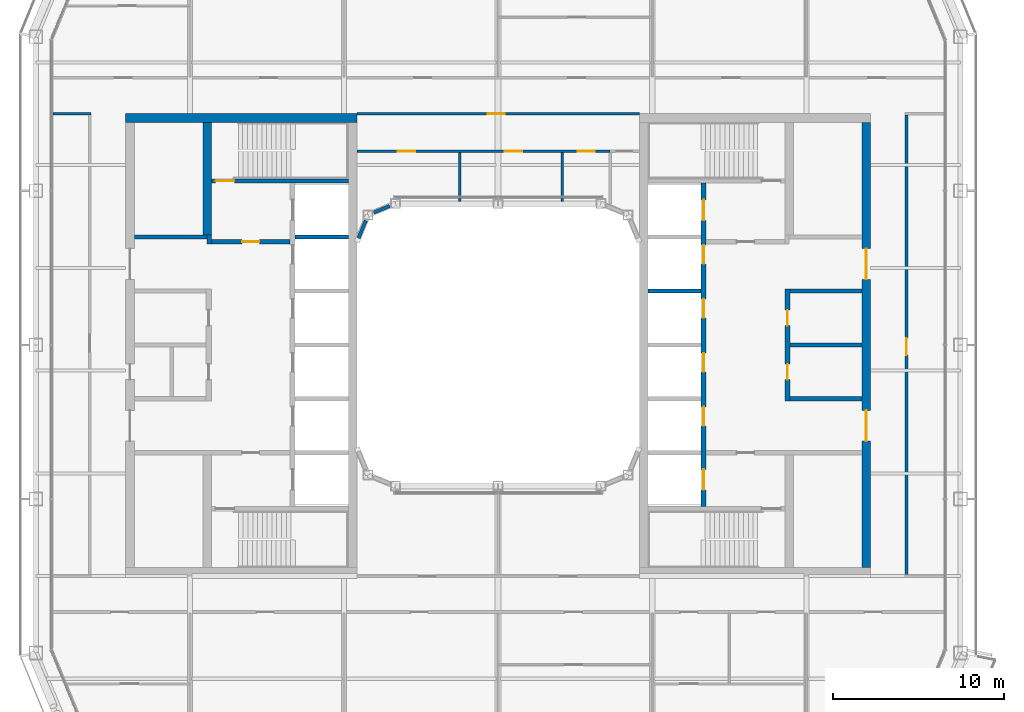
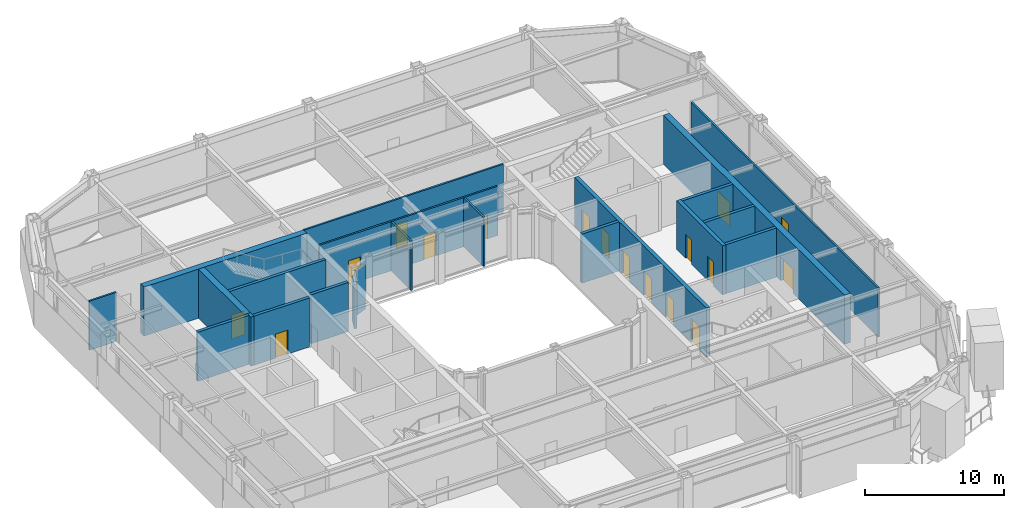
# One storey, part 14 of 23: 22 walls, 17 doors, 17 openings.
"""IFC4 building model written with IfcOpenShell, lengths in metres."""

from ifc_helpers import new_model, si_unit, direction, frame, frame_2d, origin, place, context, subcontext, project, spatial, rectangle, extrude, material, layer, layer_set, type_object, element, fill, save


model = new_model("IFC4")

# Units and contexts
model_context = context("Model", 3, precision=1e-05, world=origin(), true_north=direction((0.0, 1.0)))
body_context = subcontext(model_context, "Body", "Model", "MODEL_VIEW")
ifc_project = project(units=[si_unit("LENGTHUNIT", "METRE"), si_unit("AREAUNIT", "SQUARE_METRE"), si_unit("VOLUMEUNIT", "CUBIC_METRE"), si_unit("PLANEANGLEUNIT", "RADIAN"), si_unit("MASSUNIT", "GRAM", prefix="KILO")], contexts=[model_context])

# Site, building, storey
site_placement = place(None, origin())
site = spatial("IfcSite", under=ifc_project, at=site_placement, CompositionType="ELEMENT")
building_placement = place(site_placement, origin())
building = spatial("IfcBuilding", under=site, at=building_placement, Name="Siwar Civic Tower", CompositionType="ELEMENT")
storey_placement = place(building_placement, frame((0.0, 0.0, 273.699951171875)))
storey = spatial("IfcBuildingStorey", under=building, at=storey_placement, Name="L59", CompositionType="ELEMENT", Elevation=273.699951171875)

# Wall, opening, door
ifc_material_1 = material(Name="Concrete C60/75", Category="concrete")
ifc_layer_1 = layer(ifc_material_1, 0.25)
ifc_layer_set_1 = layer_set([ifc_layer_1], Name="Concrete C60/75")
wall_type_1 = type_object("IfcWallType", Name="CORE-WALL-RC250", PredefinedType="SHEAR", material=ifc_layer_set_1)
wall_1_placement = place(storey_placement, frame((-12.14990234375, 6.02490234375, 0.0), z_axis=(0.0, 0.0, 1.0), x_axis=(-1.0, 0.0, 0.0)))
wall_1 = element("IfcWall", 1, at=wall_1_placement, inside=storey, type_object=wall_type_1, Name="Core wall W", PredefinedType="SHEAR", context=body_context, shape_type="SweptSolid", body=[
    extrude(rectangle(XDim=4.60009765625, YDim=0.25, at=frame_2d((2.300048828125, 0.0))), origin(), (0.0, 0.0, 1.0), 4.300048828125),
])
opening_1_placement = place(wall_1_placement, frame((1.800048828125, 0.0, 0.0)))
opening_1 = element("IfcOpeningElement", 2, at=opening_1_placement, cuts=wall_1, Name="Opening L59-CW01", PredefinedType="OPENING", context=body_context, shape_type="SweptSolid", body=[
    extrude(rectangle(XDim=1.0, YDim=2.10009765625, at=frame_2d((0.5, 1.050048828125))), frame((0.0, 0.135009765625, 0.0), z_axis=(0.0, -1.0, 0.0), x_axis=(1.0, 0.0, 0.0)), (0.0, 0.0, 1.0), 0.27001953125),
])
ifc_material_2 = material(Name="Steel door leaf", Category="steel")
door_type_1 = type_object("IfcDoorType", Name="CORE-DOOR-FD30S", OperationType="SINGLE_SWING_LEFT", PredefinedType="DOOR", material=ifc_material_2)
door_1_placement = place(opening_1_placement, origin())
door_1 = element("IfcDoor", 3, at=door_1_placement, inside=storey, type_object=door_type_1, Name="Firefighting lobby door L59-CW01", OperationType="SINGLE_SWING_LEFT", OverallHeight=2.10009765625, OverallWidth=1.0, PredefinedType="DOOR", context=body_context, shape_type="SweptSolid", body=[
    extrude(rectangle(XDim=1.0, YDim=2.10009765625, at=frame_2d((0.5, 1.050048828125))), frame((0.0, 0.02490234375, 0.0), z_axis=(0.0, -1.0, 0.0), x_axis=(1.0, 0.0, 0.0)), (0.0, 0.0, 1.0), 0.050048828125),
])
fill(opening_1, door_1)

# Walls
wall_2_placement = place(storey_placement, frame((-16.875, 5.89990234375, 0.0), z_axis=(0.0, 0.0, 1.0), x_axis=(0.0, 1.0, 0.0)))
element("IfcWall", 4, at=wall_2_placement, inside=storey, type_object=wall_type_1, Name="Core wall W", PredefinedType="SHEAR", context=body_context, shape_type="SweptSolid", body=[
    extrude(rectangle(XDim=0.525146484375, YDim=0.25, at=frame_2d((0.2626953125, 0.0))), origin(), (0.0, 0.0, 1.0), 4.300048828125),
])
wall_3_placement = place(storey_placement, frame((-17.0, 6.300048828125, 0.0), z_axis=(0.0, 0.0, 1.0), x_axis=(-1.0, 0.0, 0.0)))
element("IfcWall", 5, at=wall_3_placement, inside=storey, type_object=wall_type_1, Name="Core wall W", PredefinedType="SHEAR", context=body_context, shape_type="SweptSolid", body=[
    extrude(rectangle(XDim=4.25, YDim=0.25, at=frame_2d((2.125, 0.0))), origin(), (0.0, 0.0, 1.0), 4.300048828125),
])
wall_4_placement = place(storey_placement, frame((-8.75, 6.300048828125, 0.0), z_axis=(0.0, 0.0, 1.0), x_axis=(-1.0, 0.0, 0.0)))
element("IfcWall", 6, at=wall_4_placement, inside=storey, type_object=wall_type_1, Name="Core wall W", PredefinedType="SHEAR", context=body_context, shape_type="SweptSolid", body=[
    extrude(rectangle(XDim=3.10009765625, YDim=0.25, at=frame_2d((1.550048828125, 0.0))), origin(), (0.0, 0.0, 1.0), 4.300048828125),
])

# Wall, opening, door
wall_5_placement = place(storey_placement, frame((-8.75, 9.574951171875, 0.0), z_axis=(0.0, 0.0, 1.0), x_axis=(-1.0, 0.0, 0.0)))
wall_5 = element("IfcWall", 7, at=wall_5_placement, inside=storey, type_object=wall_type_1, Name="Core wall W", PredefinedType="SHEAR", context=body_context, shape_type="SweptSolid", body=[
    extrude(rectangle(XDim=8.0, YDim=0.25, at=frame_2d((4.0, 0.0))), origin(), (0.0, 0.0, 1.0), 4.300048828125),
])
opening_2_placement = place(wall_5_placement, frame((6.64990234375, 0.0, 0.0)))
opening_2 = element("IfcOpeningElement", 8, at=opening_2_placement, cuts=wall_5, Name="Opening L59-CW03", PredefinedType="OPENING", context=body_context, shape_type="SweptSolid", body=[
    extrude(rectangle(XDim=1.10009765625, YDim=2.10009765625, at=frame_2d((0.550048828125, 1.050048828125))), frame((0.0, 0.135009765625, 0.0), z_axis=(0.0, -1.0, 0.0), x_axis=(1.0, 0.0, 0.0)), (0.0, 0.0, 1.0), 0.27001953125),
])
ifc_material_3 = material(Name="Steel door leaf", Category="steel")
door_type_2 = type_object("IfcDoorType", Name="CORE-DOOR-FD60S", OperationType="SINGLE_SWING_LEFT", PredefinedType="DOOR", material=ifc_material_3)
door_2_placement = place(opening_2_placement, origin())
door_2 = element("IfcDoor", 9, at=door_2_placement, inside=storey, type_object=door_type_2, Name="Stair door L59-CW03", OperationType="SINGLE_SWING_RIGHT", OverallHeight=2.10009765625, OverallWidth=1.10009765625, PredefinedType="DOOR", context=body_context, shape_type="SweptSolid", body=[
    extrude(rectangle(XDim=1.10009765625, YDim=2.10009765625, at=frame_2d((0.550048828125, 1.050048828125))), frame((0.0, 0.02490234375, 0.0), z_axis=(0.0, -1.0, 0.0), x_axis=(1.0, 0.0, 0.0)), (0.0, 0.0, 1.0), 0.050048828125),
])
fill(opening_2, door_2)

# Walls
for number, where, z_axis, x_axis, name in (
    (10, (17.050048828125, 0.0, 0.0), (0.0, 0.0, 1.0), (1.0, 0.0, 0.0), "Core wall E"),
    (11, (17.050048828125, 3.14990234375, 0.0), (0.0, 0.0, 1.0), (1.0, 0.0, 0.0), "Core wall E"),
    (12, (17.050048828125, -3.14990234375, 0.0), (0.0, 0.0, 1.0), (1.0, 0.0, 0.0), "Core wall E"),
):
    element("IfcWall", number, at=place(storey_placement, frame(where, z_axis=z_axis, x_axis=x_axis)), inside=storey, type_object=wall_type_1, Name=name, PredefinedType="SHEAR", context=body_context, shape_type="SweptSolid", body=[
        extrude(rectangle(XDim=4.199951171875, YDim=0.25, at=frame_2d((2.10009765625, 0.0))), origin(), (0.0, 0.0, 1.0), 4.300048828125),
    ])
wall_6_placement = place(storey_placement, frame((8.75, 3.14990234375, 0.0), z_axis=(0.0, 0.0, 1.0), x_axis=(1.0, 0.0, 0.0)))
element("IfcWall", 13, at=wall_6_placement, inside=storey, type_object=wall_type_1, Name="Core wall E", PredefinedType="SHEAR", context=body_context, shape_type="SweptSolid", body=[
    extrude(rectangle(XDim=3.10009765625, YDim=0.25, at=frame_2d((1.550048828125, 0.0))), origin(), (0.0, 0.0, 1.0), 4.300048828125),
])

# Wall, openings, doors
ifc_material_4 = material(Name="Concrete C60/75", Category="concrete")
ifc_layer_2 = layer(ifc_material_4, 0.300048828125)
ifc_layer_set_2 = layer_set([ifc_layer_2], Name="Concrete C60/75")
wall_type_2 = type_object("IfcWallType", Name="CORE-WALL-RC300", PredefinedType="SHEAR", material=ifc_layer_set_2)
wall_7_placement = place(storey_placement, frame((12.0, -9.449951171875, 0.0), z_axis=(0.0, 0.0, 1.0), x_axis=(0.0, 1.0, 0.0)))
wall_7 = element("IfcWall", 14, at=wall_7_placement, inside=storey, type_object=wall_type_2, Name="Core wall E", PredefinedType="SHEAR", context=body_context, shape_type="SweptSolid", body=[
    extrude(rectangle(XDim=18.89990234375, YDim=0.300048828125, at=frame_2d((9.449951171875, 0.0))), origin(), (0.0, 0.0, 1.0), 4.300048828125),
])
opening_3_placement = place(wall_7_placement, frame((4.72509765625, 0.0, 0.0)))
opening_3 = element("IfcOpeningElement", 15, at=opening_3_placement, cuts=wall_7, Name="Opening L59-CE07", PredefinedType="OPENING", context=body_context, shape_type="SweptSolid", body=[
    extrude(rectangle(XDim=1.10009765625, YDim=2.10009765625, at=frame_2d((0.550048828125, 1.050048828125))), frame((0.0, 0.16015625, 0.0), z_axis=(0.0, -1.0, 0.0), x_axis=(1.0, 0.0, 0.0)), (0.0, 0.0, 1.0), 0.320068359375),
])
opening_4_placement = place(wall_7_placement, frame((7.875, 0.0, 0.0)))
opening_4 = element("IfcOpeningElement", 16, at=opening_4_placement, cuts=wall_7, Name="Opening L59-CE08", PredefinedType="OPENING", context=body_context, shape_type="SweptSolid", body=[
    extrude(rectangle(XDim=1.10009765625, YDim=2.10009765625, at=frame_2d((0.550048828125, 1.050048828125))), frame((0.0, 0.16015625, 0.0), z_axis=(0.0, -1.0, 0.0), x_axis=(1.0, 0.0, 0.0)), (0.0, 0.0, 1.0), 0.320068359375),
])
opening_5_placement = place(wall_7_placement, frame((11.02490234375, 0.0, 0.0)))
opening_5 = element("IfcOpeningElement", 17, at=opening_5_placement, cuts=wall_7, Name="Opening L59-CE09", PredefinedType="OPENING", context=body_context, shape_type="SweptSolid", body=[
    extrude(rectangle(XDim=1.10009765625, YDim=2.10009765625, at=frame_2d((0.550048828125, 1.050048828125))), frame((0.0, 0.16015625, 0.0), z_axis=(0.0, -1.0, 0.0), x_axis=(1.0, 0.0, 0.0)), (0.0, 0.0, 1.0), 0.320068359375),
])
opening_6_placement = place(wall_7_placement, frame((14.175048828125, 0.0, 0.0)))
opening_6 = element("IfcOpeningElement", 18, at=opening_6_placement, cuts=wall_7, Name="Opening L59-CE10", PredefinedType="OPENING", context=body_context, shape_type="SweptSolid", body=[
    extrude(rectangle(XDim=1.10009765625, YDim=2.10009765625, at=frame_2d((0.550048828125, 1.050048828125))), frame((0.0, 0.16015625, 0.0), z_axis=(0.0, -1.0, 0.0), x_axis=(1.0, 0.0, 0.0)), (0.0, 0.0, 1.0), 0.320068359375),
])
opening_7_placement = place(wall_7_placement, frame((16.72509765625, 0.0, 0.0)))
opening_7 = element("IfcOpeningElement", 19, at=opening_7_placement, cuts=wall_7, Name="Opening L59-CE11", PredefinedType="OPENING", context=body_context, shape_type="SweptSolid", body=[
    extrude(rectangle(XDim=1.199951171875, YDim=2.10009765625, at=frame_2d((0.60009765625, 1.050048828125))), frame((0.0, 0.16015625, 0.0), z_axis=(0.0, -1.0, 0.0), x_axis=(1.0, 0.0, 0.0)), (0.0, 0.0, 1.0), 0.320068359375),
])
opening_8_placement = place(wall_7_placement, frame((0.97509765625, 0.0, 0.0)))
opening_8 = element("IfcOpeningElement", 20, at=opening_8_placement, cuts=wall_7, Name="Opening L59-CE12", PredefinedType="OPENING", context=body_context, shape_type="SweptSolid", body=[
    extrude(rectangle(XDim=1.199951171875, YDim=2.10009765625, at=frame_2d((0.60009765625, 1.050048828125))), frame((0.0, 0.16015625, 0.0), z_axis=(0.0, -1.0, 0.0), x_axis=(1.0, 0.0, 0.0)), (0.0, 0.0, 1.0), 0.320068359375),
])
ifc_material_5 = material(Name="Steel door leaf", Category="steel")
door_type_3 = type_object("IfcDoorType", Name="CORE-DOOR-LD", OperationType="DOUBLE_DOOR_SLIDING", PredefinedType="DOOR", material=ifc_material_5)
door_3_placement = place(opening_3_placement, origin())
door_3 = element("IfcDoor", 21, at=door_3_placement, inside=storey, type_object=door_type_3, Name="Landing door HR5 L59-CE07", OperationType="DOUBLE_DOOR_SLIDING", OverallHeight=2.10009765625, OverallWidth=1.10009765625, PredefinedType="DOOR", context=body_context, shape_type="SweptSolid", body=[
    extrude(rectangle(XDim=1.10009765625, YDim=2.10009765625, at=frame_2d((0.550048828125, 1.050048828125))), frame((0.0, 0.02490234375, 0.0), z_axis=(0.0, -1.0, 0.0), x_axis=(1.0, 0.0, 0.0)), (0.0, 0.0, 1.0), 0.050048828125),
])
fill(opening_3, door_3)
door_4_placement = place(opening_4_placement, origin())
door_4 = element("IfcDoor", 22, at=door_4_placement, inside=storey, type_object=door_type_3, Name="Landing door HR6 L59-CE08", OperationType="DOUBLE_DOOR_SLIDING", OverallHeight=2.10009765625, OverallWidth=1.10009765625, PredefinedType="DOOR", context=body_context, shape_type="SweptSolid", body=[
    extrude(rectangle(XDim=1.10009765625, YDim=2.10009765625, at=frame_2d((0.550048828125, 1.050048828125))), frame((0.0, 0.02490234375, 0.0), z_axis=(0.0, -1.0, 0.0), x_axis=(1.0, 0.0, 0.0)), (0.0, 0.0, 1.0), 0.050048828125),
])
fill(opening_4, door_4)
door_5_placement = place(opening_5_placement, origin())
door_5 = element("IfcDoor", 23, at=door_5_placement, inside=storey, type_object=door_type_3, Name="Landing door HR7 L59-CE09", OperationType="DOUBLE_DOOR_SLIDING", OverallHeight=2.10009765625, OverallWidth=1.10009765625, PredefinedType="DOOR", context=body_context, shape_type="SweptSolid", body=[
    extrude(rectangle(XDim=1.10009765625, YDim=2.10009765625, at=frame_2d((0.550048828125, 1.050048828125))), frame((0.0, 0.02490234375, 0.0), z_axis=(0.0, -1.0, 0.0), x_axis=(1.0, 0.0, 0.0)), (0.0, 0.0, 1.0), 0.050048828125),
])
fill(opening_5, door_5)
door_6_placement = place(opening_6_placement, origin())
door_6 = element("IfcDoor", 24, at=door_6_placement, inside=storey, type_object=door_type_3, Name="Landing door HR8 L59-CE10", OperationType="DOUBLE_DOOR_SLIDING", OverallHeight=2.10009765625, OverallWidth=1.10009765625, PredefinedType="DOOR", context=body_context, shape_type="SweptSolid", body=[
    extrude(rectangle(XDim=1.10009765625, YDim=2.10009765625, at=frame_2d((0.550048828125, 1.050048828125))), frame((0.0, 0.02490234375, 0.0), z_axis=(0.0, -1.0, 0.0), x_axis=(1.0, 0.0, 0.0)), (0.0, 0.0, 1.0), 0.050048828125),
])
fill(opening_6, door_6)
ifc_material_6 = material(Name="Steel door leaf", Category="steel")
door_type_4 = type_object("IfcDoorType", Name="CORE-DOOR-LDW", OperationType="DOUBLE_DOOR_SLIDING", PredefinedType="DOOR", material=ifc_material_6)
door_7_placement = place(opening_7_placement, origin())
door_7 = element("IfcDoor", 25, at=door_7_placement, inside=storey, type_object=door_type_4, Name="Landing door FF2 L59-CE11", OperationType="DOUBLE_DOOR_SLIDING", OverallHeight=2.10009765625, OverallWidth=1.199951171875, PredefinedType="DOOR", context=body_context, shape_type="SweptSolid", body=[
    extrude(rectangle(XDim=1.199951171875, YDim=2.10009765625, at=frame_2d((0.60009765625, 1.050048828125))), frame((0.0, 0.02490234375, 0.0), z_axis=(0.0, -1.0, 0.0), x_axis=(1.0, 0.0, 0.0)), (0.0, 0.0, 1.0), 0.050048828125),
])
fill(opening_7, door_7)
door_8_placement = place(opening_8_placement, origin())
door_8 = element("IfcDoor", 26, at=door_8_placement, inside=storey, type_object=door_type_4, Name="Landing door SV2 L59-CE12", OperationType="DOUBLE_DOOR_SLIDING", OverallHeight=2.10009765625, OverallWidth=1.199951171875, PredefinedType="DOOR", context=body_context, shape_type="SweptSolid", body=[
    extrude(rectangle(XDim=1.199951171875, YDim=2.10009765625, at=frame_2d((0.60009765625, 1.050048828125))), frame((0.0, 0.02490234375, 0.0), z_axis=(0.0, -1.0, 0.0), x_axis=(1.0, 0.0, 0.0)), (0.0, 0.0, 1.0), 0.050048828125),
])
fill(opening_8, door_8)

wall_8_placement = place(storey_placement, frame((16.89990234375, -3.27490234375, 0.0), z_axis=(0.0, 0.0, 1.0), x_axis=(0.0, 1.0, 0.0)))
wall_8 = element("IfcWall", 27, at=wall_8_placement, inside=storey, type_object=wall_type_2, Name="Core wall E", PredefinedType="SHEAR", context=body_context, shape_type="SweptSolid", body=[
    extrude(rectangle(XDim=6.5498046875, YDim=0.300048828125, at=frame_2d((3.27490234375, 0.0))), origin(), (0.0, 0.0, 1.0), 4.300048828125),
])
opening_9_placement = place(wall_8_placement, frame((1.25, 0.0, 0.0)))
opening_9 = element("IfcOpeningElement", 28, at=opening_9_placement, cuts=wall_8, Name="Opening L59-CE13", PredefinedType="OPENING", context=body_context, shape_type="SweptSolid", body=[
    extrude(rectangle(XDim=0.89990234375, YDim=2.10009765625, at=frame_2d((0.449951171875, 1.050048828125))), frame((0.0, 0.16015625, 0.0), z_axis=(0.0, -1.0, 0.0), x_axis=(1.0, 0.0, 0.0)), (0.0, 0.0, 1.0), 0.320068359375),
])
opening_10_placement = place(wall_8_placement, frame((4.39990234375, 0.0, 0.0)))
opening_10 = element("IfcOpeningElement", 29, at=opening_10_placement, cuts=wall_8, Name="Opening L59-CE14", PredefinedType="OPENING", context=body_context, shape_type="SweptSolid", body=[
    extrude(rectangle(XDim=0.89990234375, YDim=2.10009765625, at=frame_2d((0.449951171875, 1.050048828125))), frame((0.0, 0.16015625, 0.0), z_axis=(0.0, -1.0, 0.0), x_axis=(1.0, 0.0, 0.0)), (0.0, 0.0, 1.0), 0.320068359375),
])
ifc_material_7 = material(Name="Steel door leaf", Category="steel")
door_type_5 = type_object("IfcDoorType", Name="CORE-DOOR-ROOM", OperationType="SINGLE_SWING_LEFT", PredefinedType="DOOR", material=ifc_material_7)
door_9_placement = place(opening_9_placement, origin())
door_9 = element("IfcDoor", 30, at=door_9_placement, inside=storey, type_object=door_type_5, Name="Core room door L59-CE13", OperationType="SINGLE_SWING_RIGHT", OverallHeight=2.10009765625, OverallWidth=0.89990234375, PredefinedType="DOOR", context=body_context, shape_type="SweptSolid", body=[
    extrude(rectangle(XDim=0.89990234375, YDim=2.10009765625, at=frame_2d((0.449951171875, 1.050048828125))), frame((0.0, 0.02490234375, 0.0), z_axis=(0.0, -1.0, 0.0), x_axis=(1.0, 0.0, 0.0)), (0.0, 0.0, 1.0), 0.050048828125),
])
fill(opening_9, door_9)
door_10_placement = place(opening_10_placement, origin())
door_10 = element("IfcDoor", 31, at=door_10_placement, inside=storey, type_object=door_type_5, Name="Core room door L59-CE14", OperationType="SINGLE_SWING_LEFT", OverallHeight=2.10009765625, OverallWidth=0.89990234375, PredefinedType="DOOR", context=body_context, shape_type="SweptSolid", body=[
    extrude(rectangle(XDim=0.89990234375, YDim=2.10009765625, at=frame_2d((0.449951171875, 1.050048828125))), frame((0.0, 0.02490234375, 0.0), z_axis=(0.0, -1.0, 0.0), x_axis=(1.0, 0.0, 0.0)), (0.0, 0.0, 1.0), 0.050048828125),
])
fill(opening_10, door_10)

# Walls
ifc_material_8 = material(Name="Concrete C60/75", Category="concrete")
ifc_layer_3 = layer(ifc_material_8, 0.5)
ifc_layer_set_3 = layer_set([ifc_layer_3], Name="Concrete C60/75")
wall_type_3 = type_object("IfcWallType", Name="CORE-WALL-RC500", PredefinedType="SHEAR", material=ifc_layer_set_3)
wall_9_placement = place(storey_placement, frame((-17.0, 6.425048828125, 0.0), z_axis=(0.0, 0.0, 1.0), x_axis=(0.0, 1.0, 0.0)))
element("IfcWall", 32, at=wall_9_placement, inside=storey, type_object=wall_type_3, Name="Core wall W", PredefinedType="SHEAR", context=body_context, shape_type="SweptSolid", body=[
    extrude(rectangle(XDim=6.574951171875, YDim=0.5, at=frame_2d((3.28759765625, 0.0))), origin(), (0.0, 0.0, 1.0), 4.300048828125),
])
wall_10_placement = place(storey_placement, frame((-8.25, 13.25, 0.0), z_axis=(0.0, 0.0, 1.0), x_axis=(-1.0, 0.0, 0.0)))
element("IfcWall", 33, at=wall_10_placement, inside=storey, type_object=wall_type_3, Name="Core wall W", PredefinedType="SHEAR", context=body_context, shape_type="SweptSolid", body=[
    extrude(rectangle(XDim=13.5, YDim=0.5, at=frame_2d((6.75, 0.0))), origin(), (0.0, 0.0, 1.0), 4.300048828125),
])

# Wall, openings, doors
wall_11_placement = place(storey_placement, frame((21.5, -13.0, 0.0), z_axis=(0.0, 0.0, 1.0), x_axis=(0.0, 1.0, 0.0)))
wall_11 = element("IfcWall", 34, at=wall_11_placement, inside=storey, type_object=wall_type_3, Name="Core wall E", PredefinedType="SHEAR", context=body_context, shape_type="SweptSolid", body=[
    extrude(rectangle(XDim=26.0, YDim=0.5, at=frame_2d((13.0, 0.0))), origin(), (0.0, 0.0, 1.0), 4.300048828125),
])
opening_11_placement = place(wall_11_placement, frame((16.824951171875, 0.0, 0.0)))
opening_11 = element("IfcOpeningElement", 35, at=opening_11_placement, cuts=wall_11, Name="Opening L59-CE05", PredefinedType="OPENING", context=body_context, shape_type="SweptSolid", body=[
    extrude(rectangle(XDim=1.800048828125, YDim=2.10009765625, at=frame_2d((0.89990234375, 1.050048828125))), frame((0.0, 0.260009765625, 0.0), z_axis=(0.0, -1.0, 0.0), x_axis=(1.0, 0.0, 0.0)), (0.0, 0.0, 1.0), 0.52001953125),
])
opening_12_placement = place(wall_11_placement, frame((7.375, 0.0, 0.0)))
opening_12 = element("IfcOpeningElement", 36, at=opening_12_placement, cuts=wall_11, Name="Opening L59-CE06", PredefinedType="OPENING", context=body_context, shape_type="SweptSolid", body=[
    extrude(rectangle(XDim=1.800048828125, YDim=2.10009765625, at=frame_2d((0.89990234375, 1.050048828125))), frame((0.0, 0.260009765625, 0.0), z_axis=(0.0, -1.0, 0.0), x_axis=(1.0, 0.0, 0.0)), (0.0, 0.0, 1.0), 0.52001953125),
])
ifc_material_9 = material(Name="Steel door leaf", Category="steel")
door_type_6 = type_object("IfcDoorType", Name="CORE-DOOR-PORT", OperationType="DOUBLE_DOOR_DOUBLE_SWING", PredefinedType="DOOR", material=ifc_material_9)
door_11_placement = place(opening_11_placement, origin())
door_11 = element("IfcDoor", 37, at=door_11_placement, inside=storey, type_object=door_type_6, Name="Core entrance door L59-CE05", OperationType="DOUBLE_DOOR_DOUBLE_SWING", OverallHeight=2.10009765625, OverallWidth=1.800048828125, PredefinedType="DOOR", context=body_context, shape_type="SweptSolid", body=[
    extrude(rectangle(XDim=1.800048828125, YDim=2.10009765625, at=frame_2d((0.89990234375, 1.050048828125))), frame((0.0, 0.02490234375, 0.0), z_axis=(0.0, -1.0, 0.0), x_axis=(1.0, 0.0, 0.0)), (0.0, 0.0, 1.0), 0.050048828125),
])
fill(opening_11, door_11)
door_12_placement = place(opening_12_placement, origin())
door_12 = element("IfcDoor", 38, at=door_12_placement, inside=storey, type_object=door_type_6, Name="Core entrance door L59-CE06", OperationType="DOUBLE_DOOR_DOUBLE_SWING", OverallHeight=2.10009765625, OverallWidth=1.800048828125, PredefinedType="DOOR", context=body_context, shape_type="SweptSolid", body=[
    extrude(rectangle(XDim=1.800048828125, YDim=2.10009765625, at=frame_2d((0.89990234375, 1.050048828125))), frame((0.0, 0.02490234375, 0.0), z_axis=(0.0, -1.0, 0.0), x_axis=(1.0, 0.0, 0.0)), (0.0, 0.0, 1.0), 0.050048828125),
])
fill(opening_12, door_12)

ifc_material_10 = material(Name="Gypsum board on steel studs", Category="steel")
ifc_layer_4 = layer(ifc_material_10, 0.14990234375)
ifc_layer_set_4 = layer_set([ifc_layer_4], Name="Gypsum board on steel studs")
wall_type_4 = type_object("IfcWallType", Name="CORRIDOR PARTITION 150 EI 30", PredefinedType="PARTITIONING", material=ifc_layer_set_4)
wall_12_placement = place(storey_placement, frame((-8.25, 11.300048828125, 0.0), z_axis=(0.0, 0.0, 1.0), x_axis=(1.0, 0.0, 0.0)))
wall_12 = element("IfcWall", 39, at=wall_12_placement, inside=storey, type_object=wall_type_4, Name="L59/wall/P09", PredefinedType="PARTITIONING", context=body_context, shape_type="SweptSolid", body=[
    extrude(rectangle(XDim=14.7900390625, YDim=0.14990234375, at=frame_2d((7.39501953125, 0.0))), origin(), (0.0, 0.0, 1.0), 4.300048828125),
])
opening_13_placement = place(wall_12_placement, frame((2.39990234375, 0.0, 0.0)))
opening_13 = element("IfcOpeningElement", 40, at=opening_13_placement, cuts=wall_12, Name="Opening D3", PredefinedType="OPENING", context=body_context, shape_type="SweptSolid", body=[
    extrude(rectangle(XDim=1.0, YDim=2.10009765625, at=frame_2d((0.5, 1.050048828125))), frame((0.0, 0.0849609375, 0.0), z_axis=(0.0, -1.0, 0.0), x_axis=(1.0, 0.0, 0.0)), (0.0, 0.0, 1.0), 0.169921875),
])
opening_14_placement = place(wall_12_placement, frame((8.64990234375, 0.0, 0.0)))
opening_14 = element("IfcOpeningElement", 41, at=opening_14_placement, cuts=wall_12, Name="Opening D3", PredefinedType="OPENING", context=body_context, shape_type="SweptSolid", body=[
    extrude(rectangle(XDim=1.0, YDim=2.10009765625, at=frame_2d((0.5, 1.050048828125))), frame((0.0, 0.0849609375, 0.0), z_axis=(0.0, -1.0, 0.0), x_axis=(1.0, 0.0, 0.0)), (0.0, 0.0, 1.0), 0.169921875),
])
opening_15_placement = place(wall_12_placement, frame((12.89990234375, 0.0, 0.0)))
opening_15 = element("IfcOpeningElement", 42, at=opening_15_placement, cuts=wall_12, Name="Opening D3", PredefinedType="OPENING", context=body_context, shape_type="SweptSolid", body=[
    extrude(rectangle(XDim=1.0, YDim=2.10009765625, at=frame_2d((0.5, 1.050048828125))), frame((0.0, 0.0849609375, 0.0), z_axis=(0.0, -1.0, 0.0), x_axis=(1.0, 0.0, 0.0)), (0.0, 0.0, 1.0), 0.169921875),
])
ifc_material_11 = material(Name="Timber, painted", Category="wood")
door_type_7 = type_object("IfcDoorType", Name="DOOR 1000 X 2100 WC", OperationType="SINGLE_SWING_LEFT", PredefinedType="DOOR", material=ifc_material_11)
door_13_placement = place(opening_13_placement, origin())
door_13 = element("IfcDoor", 43, at=door_13_placement, inside=storey, type_object=door_type_7, Name="L59-D23", OperationType="SINGLE_SWING_LEFT", OverallHeight=2.10009765625, OverallWidth=1.0, PredefinedType="DOOR", context=body_context, shape_type="SweptSolid", body=[
    extrude(rectangle(XDim=1.0, YDim=2.10009765625, at=frame_2d((0.5, 1.050048828125))), frame((0.0, 0.02490234375, 0.0), z_axis=(0.0, -1.0, 0.0), x_axis=(1.0, 0.0, 0.0)), (0.0, 0.0, 1.0), 0.050048828125),
])
fill(opening_13, door_13)
door_14_placement = place(opening_14_placement, origin())
door_14 = element("IfcDoor", 44, at=door_14_placement, inside=storey, type_object=door_type_7, Name="L59-D24", OperationType="SINGLE_SWING_RIGHT", OverallHeight=2.10009765625, OverallWidth=1.0, PredefinedType="DOOR", context=body_context, shape_type="SweptSolid", body=[
    extrude(rectangle(XDim=1.0, YDim=2.10009765625, at=frame_2d((0.5, 1.050048828125))), frame((0.0, 0.02490234375, 0.0), z_axis=(0.0, -1.0, 0.0), x_axis=(1.0, 0.0, 0.0)), (0.0, 0.0, 1.0), 0.050048828125),
])
fill(opening_14, door_14)
door_15_placement = place(opening_15_placement, origin())
door_15 = element("IfcDoor", 45, at=door_15_placement, inside=storey, type_object=door_type_7, Name="L59-D25", OperationType="SINGLE_SWING_LEFT", OverallHeight=2.10009765625, OverallWidth=1.0, PredefinedType="DOOR", context=body_context, shape_type="SweptSolid", body=[
    extrude(rectangle(XDim=1.0, YDim=2.10009765625, at=frame_2d((0.5, 1.050048828125))), frame((0.0, 0.02490234375, 0.0), z_axis=(0.0, -1.0, 0.0), x_axis=(1.0, 0.0, 0.0)), (0.0, 0.0, 1.0), 0.050048828125),
])
fill(opening_15, door_15)

# Wall
wall_13_placement = place(storey_placement, frame((-26.010009765625, 13.5, 0.0), z_axis=(0.0, 0.0, 1.0), x_axis=(1.0, 0.0, 0.0)))
element("IfcWall", 46, at=wall_13_placement, inside=storey, type_object=wall_type_4, Name="L59/wall/P11", PredefinedType="PARTITIONING", context=body_context, shape_type="SweptSolid", body=[
    extrude(rectangle(XDim=2.235107421875, YDim=0.14990234375, at=frame_2d((1.11767578125, 0.0))), origin(), (0.0, 0.0, 1.0), 4.300048828125),
])

# Wall, opening, door
wall_14_placement = place(storey_placement, frame((-8.25, 13.5, 0.0), z_axis=(0.0, 0.0, 1.0), x_axis=(1.0, 0.0, 0.0)))
wall_14 = element("IfcWall", 47, at=wall_14_placement, inside=storey, type_object=wall_type_4, Name="L59/wall/P12", PredefinedType="PARTITIONING", context=body_context, shape_type="SweptSolid", body=[
    extrude(rectangle(XDim=16.5, YDim=0.14990234375, at=frame_2d((8.25, 0.0))), origin(), (0.0, 0.0, 1.0), 4.300048828125),
])
opening_16_placement = place(wall_14_placement, frame((7.64990234375, 0.0, 0.0)))
opening_16 = element("IfcOpeningElement", 48, at=opening_16_placement, cuts=wall_14, Name="Opening D1", PredefinedType="OPENING", context=body_context, shape_type="SweptSolid", body=[
    extrude(rectangle(XDim=1.0, YDim=2.10009765625, at=frame_2d((0.5, 1.050048828125))), frame((0.0, 0.0849609375, 0.0), z_axis=(0.0, -1.0, 0.0), x_axis=(1.0, 0.0, 0.0)), (0.0, 0.0, 1.0), 0.169921875),
])
ifc_material_12 = material(Name="Timber, painted", Category="wood")
door_type_8 = type_object("IfcDoorType", Name="DOOR 1000 X 2100 FD30", OperationType="SINGLE_SWING_LEFT", PredefinedType="DOOR", material=ifc_material_12)
door_16_placement = place(opening_16_placement, origin())
door_16 = element("IfcDoor", 49, at=door_16_placement, inside=storey, type_object=door_type_8, Name="L59-D22", OperationType="SINGLE_SWING_RIGHT", OverallHeight=2.10009765625, OverallWidth=1.0, PredefinedType="DOOR", context=body_context, shape_type="SweptSolid", body=[
    extrude(rectangle(XDim=1.0, YDim=2.10009765625, at=frame_2d((0.5, 1.050048828125))), frame((0.0, 0.02490234375, 0.0), z_axis=(0.0, -1.0, 0.0), x_axis=(1.0, 0.0, 0.0)), (0.0, 0.0, 1.0), 0.050048828125),
])
fill(opening_16, door_16)

# Walls
for number, where, z_axis, x_axis, name in (
    (50, (-2.25, 8.3701171875, 0.0), (0.0, 0.0, 1.0), (0.0, 1.0, 0.0), "L59/wall/P23"),
    (51, (3.75, 8.3701171875, 0.0), (0.0, 0.0, 1.0), (0.0, 1.0, 0.0), "L59/wall/P27"),
):
    element("IfcWall", number, at=place(storey_placement, frame(where, z_axis=z_axis, x_axis=x_axis)), inside=storey, type_object=wall_type_4, Name=name, PredefinedType="PARTITIONING", context=body_context, shape_type="SweptSolid", body=[
        extrude(rectangle(XDim=2.85498046875, YDim=0.14990234375, at=frame_2d((1.427490234375, 0.0))), origin(), (0.0, 0.0, 1.0), 4.300048828125),
    ])

# Wall, opening, door
wall_15_placement = place(storey_placement, frame((23.85009765625, -13.425048828125, 0.0), z_axis=(0.0, 0.0, 1.0), x_axis=(0.0, 1.0, 0.0)))
wall_15 = element("IfcWall", 52, at=wall_15_placement, inside=storey, type_object=wall_type_4, Name="L59/wall/P34", PredefinedType="PARTITIONING", context=body_context, shape_type="SweptSolid", body=[
    extrude(rectangle(XDim=26.85009765625, YDim=0.14990234375, at=frame_2d((13.425048828125, 0.0))), origin(), (0.0, 0.0, 1.0), 4.300048828125),
])
opening_17_placement = place(wall_15_placement, frame((12.824951171875, 0.0, 0.0)))
opening_17 = element("IfcOpeningElement", 53, at=opening_17_placement, cuts=wall_15, Name="Opening D1", PredefinedType="OPENING", context=body_context, shape_type="SweptSolid", body=[
    extrude(rectangle(XDim=1.0, YDim=2.10009765625, at=frame_2d((0.5, 1.050048828125))), frame((0.0, 0.0849609375, 0.0), z_axis=(0.0, -1.0, 0.0), x_axis=(1.0, 0.0, 0.0)), (0.0, 0.0, 1.0), 0.169921875),
])
door_17_placement = place(opening_17_placement, origin())
door_17 = element("IfcDoor", 54, at=door_17_placement, inside=storey, type_object=door_type_8, Name="L59-D21", OperationType="SINGLE_SWING_LEFT", OverallHeight=2.10009765625, OverallWidth=1.0, PredefinedType="DOOR", context=body_context, shape_type="SweptSolid", body=[
    extrude(rectangle(XDim=1.0, YDim=2.10009765625, at=frame_2d((0.5, 1.050048828125))), frame((0.0, 0.02490234375, 0.0), z_axis=(0.0, -1.0, 0.0), x_axis=(1.0, 0.0, 0.0)), (0.0, 0.0, 1.0), 0.050048828125),
])
fill(opening_17, door_17)

# Walls
ifc_material_13 = material(Name="Aluminium clad insulated panel", Category="aluminium")
ifc_layer_5 = layer(ifc_material_13, 0.199951171875)
ifc_layer_set_5 = layer_set([ifc_layer_5], Name="Aluminium clad insulated panel")
wall_type_5 = type_object("IfcWallType", Name="ENV-WALL-WELL", PredefinedType="STANDARD", material=ifc_layer_set_5)
wall_16_placement = place(storey_placement, frame((-6.33203125, 8.112548828125, 0.0), z_axis=(0.0, 0.0, 1.0), x_axis=(-0.923859650767, -0.382731427616, 0.0)))
element("IfcWall", 55, at=wall_16_placement, inside=storey, type_object=wall_type_5, Name="Light well corner wall NW1", PredefinedType="STANDARD", context=body_context, shape_type="SweptSolid", body=[
    extrude(rectangle(XDim=1.00341796875, YDim=0.199951171875, at=frame_2d((0.501708984375, 0.0))), origin(), (0.0, 0.0, 1.0), 3.8681640625),
])
wall_17_placement = place(storey_placement, frame((-7.728515625, 7.259033203125, 0.0), z_axis=(0.0, 0.0, 1.0), x_axis=(-0.382635994082, -0.923899180665, 0.0)))
element("IfcWall", 56, at=wall_17_placement, inside=storey, type_object=wall_type_5, Name="Light well corner wall NW2", PredefinedType="STANDARD", context=body_context, shape_type="SweptSolid", body=[
    extrude(rectangle(XDim=1.11279296875, YDim=0.199951171875, at=frame_2d((0.556396484375, 0.0))), origin(), (0.0, 0.0, 1.0), 3.8681640625),
])

save(model, "model.ifc")
